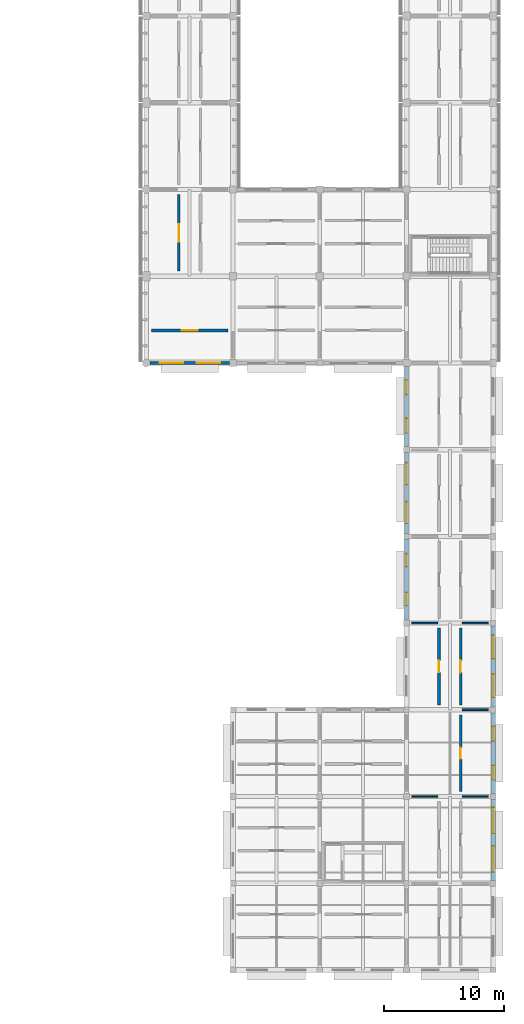
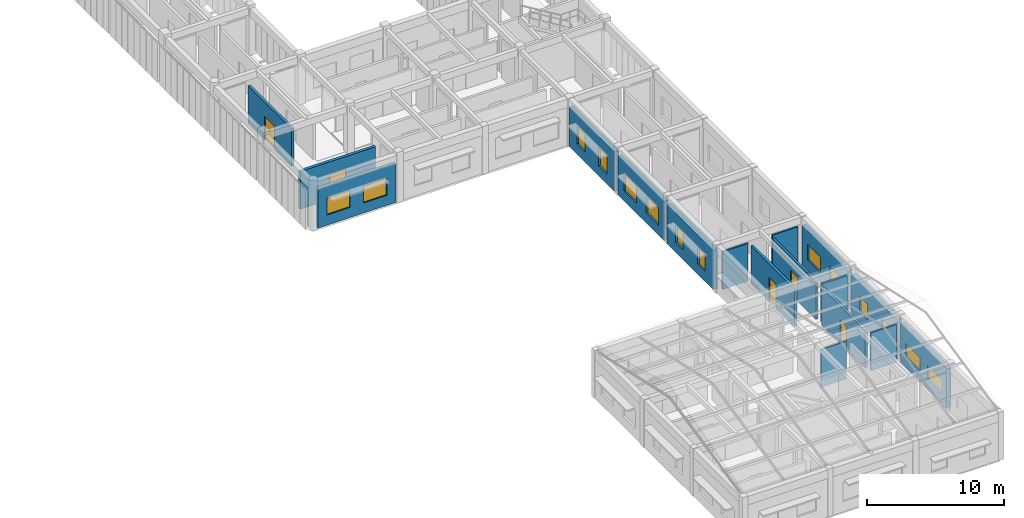
# One storey, part 135 of 171: 17 walls, 14 windows, 5 doors, 19 openings.
"""IFC4 building model written with IfcOpenShell, lengths in metres."""

from ifc_helpers import new_model, si_unit, direction, frame, frame_2d, origin, place, context, subcontext, project, spatial, rectangle, extrude, material, layer, layer_set, type_object, element, fill, save


model = new_model("IFC4")

# Units and contexts
model_context = context("Model", 3, precision=1e-05, world=origin(), true_north=direction((0.0, 1.0)))
body_context = subcontext(model_context, "Body", "Model", "MODEL_VIEW")
ifc_project = project(units=[si_unit("LENGTHUNIT", "METRE"), si_unit("AREAUNIT", "SQUARE_METRE"), si_unit("VOLUMEUNIT", "CUBIC_METRE"), si_unit("PLANEANGLEUNIT", "RADIAN"), si_unit("MASSUNIT", "GRAM", prefix="KILO")], contexts=[model_context])

# Site, building, storey
site_placement = place(None, origin())
site = spatial("IfcSite", under=ifc_project, at=site_placement, CompositionType="ELEMENT")
building_placement = place(site_placement, origin())
building = spatial("IfcBuilding", under=site, at=building_placement, Name="Aldebral Square Health Centre", CompositionType="ELEMENT")
storey_placement = place(building_placement, frame((0.0, 0.0, 4.5)))
storey = spatial("IfcBuildingStorey", under=building, at=storey_placement, Name="L01", CompositionType="ELEMENT", Elevation=4.5)

# Wall, openings, windows
ifc_material_1 = material(Name="Cream cantera stone and concrete wall C35/45", Category="masonry")
ifc_layer_1 = layer(ifc_material_1, 0.340087890625, Name="Cream cantera stone and concrete wall C35/45", Category="masonry")
ifc_layer_set_1 = layer_set([ifc_layer_1], Name="Cream cantera stone and concrete wall C35/45")
wall_type_1 = type_object("IfcWallType", Name="EW-CAN-340", PredefinedType="SOLIDWALL", material=ifc_layer_set_1)
wall_1_placement = place(storey_placement, frame((165.60009765625, 7.449951171875, 0.0), z_axis=(0.0, 0.0, 1.0), x_axis=(0.0, 1.0, 0.0)))
wall_1 = element("IfcWall", 1, at=wall_1_placement, inside=storey, type_object=wall_type_1, Name="L01 V3 exterior wall L01-V3-22-01-E", PredefinedType="SOLIDWALL", context=body_context, shape_type="SweptSolid", body=[
    extrude(rectangle(XDim=6.72509765625, YDim=0.340087890625, at=frame_2d((3.362548828125, 0.0))), origin(), (0.0, 0.0, 1.0), 3.52001953125),
])
opening_1_placement = place(wall_1_placement, frame((0.675048828125, 0.0, 0.89990234375)))
opening_1 = element("IfcOpeningElement", 2, at=opening_1_placement, cuts=wall_1, Name="Opening W09", PredefinedType="OPENING", context=body_context, shape_type="SweptSolid", body=[
    extrude(rectangle(XDim=2.14990234375, YDim=1.25, at=frame_2d((1.074951171875, 0.625))), frame((0.0, 0.18017578125, 0.0), z_axis=(0.0, -1.0, 0.0), x_axis=(1.0, 0.0, 0.0)), (0.0, 0.0, 1.0), 0.360107421875),
])
opening_2_placement = place(wall_1_placement, frame((3.89990234375, 0.0, 0.89990234375)))
opening_2 = element("IfcOpeningElement", 3, at=opening_2_placement, cuts=wall_1, Name="Opening W09", PredefinedType="OPENING", context=body_context, shape_type="SweptSolid", body=[
    extrude(rectangle(XDim=2.14990234375, YDim=1.25, at=frame_2d((1.074951171875, 0.625))), frame((0.0, 0.18017578125, 0.0), z_axis=(0.0, -1.0, 0.0), x_axis=(1.0, 0.0, 0.0)), (0.0, 0.0, 1.0), 0.360107421875),
])
ifc_material_2 = material(Name="Thermally broken aluminium and low-E glass", Category="aluminium")
window_type_1 = type_object("IfcWindowType", Name="WIN-W09", PartitioningType="SINGLE_PANEL", PredefinedType="WINDOW", material=ifc_material_2)
window_1_placement = place(opening_1_placement, origin())
window_1 = element("IfcWindow", 4, at=window_1_placement, inside=storey, type_object=window_type_1, Name="L01 clinical window L01-V3-22-01-E.1", OverallHeight=1.25, OverallWidth=2.14990234375, PartitioningType="SINGLE_PANEL", PredefinedType="WINDOW", context=body_context, shape_type="SweptSolid", body=[
    extrude(rectangle(XDim=2.14990234375, YDim=1.25, at=frame_2d((1.074951171875, 0.625))), frame((0.0, 0.030029296875, 0.0), z_axis=(0.0, -1.0, 0.0), x_axis=(1.0, 0.0, 0.0)), (0.0, 0.0, 1.0), 0.06005859375),
])
fill(opening_1, window_1)
window_2_placement = place(opening_2_placement, origin())
window_2 = element("IfcWindow", 5, at=window_2_placement, inside=storey, type_object=window_type_1, Name="L01 clinical window L01-V3-22-01-E.2", OverallHeight=1.25, OverallWidth=2.14990234375, PartitioningType="SINGLE_PANEL", PredefinedType="WINDOW", context=body_context, shape_type="SweptSolid", body=[
    extrude(rectangle(XDim=2.14990234375, YDim=1.25, at=frame_2d((1.074951171875, 0.625))), frame((0.0, 0.030029296875, 0.0), z_axis=(0.0, -1.0, 0.0), x_axis=(1.0, 0.0, 0.0)), (0.0, 0.0, 1.0), 0.06005859375),
])
fill(opening_2, window_2)

wall_2_placement = place(storey_placement, frame((165.60009765625, 21.85009765625, 0.0), z_axis=(0.0, 0.0, 1.0), x_axis=(0.0, 1.0, 0.0)))
wall_2 = element("IfcWall", 6, at=wall_2_placement, inside=storey, type_object=wall_type_1, Name="L01 V3 exterior wall L01-V3-22-03-E", PredefinedType="SOLIDWALL", context=body_context, shape_type="SweptSolid", body=[
    extrude(rectangle(XDim=6.724853515625, YDim=0.340087890625, at=frame_2d((3.3623046875, 0.0))), origin(), (0.0, 0.0, 1.0), 3.52001953125),
])
opening_3_placement = place(wall_2_placement, frame((0.77490234375, 0.0, 0.89990234375)))
opening_3 = element("IfcOpeningElement", 7, at=opening_3_placement, cuts=wall_2, Name="Opening W17", PredefinedType="OPENING", context=body_context, shape_type="SweptSolid", body=[
    extrude(rectangle(XDim=1.949951171875, YDim=1.3798828125, at=frame_2d((0.97509765625, 0.68994140625))), frame((0.0, 0.18017578125, 0.0), z_axis=(0.0, -1.0, 0.0), x_axis=(1.0, 0.0, 0.0)), (0.0, 0.0, 1.0), 0.360107421875),
])
opening_4_placement = place(wall_2_placement, frame((4.0, 0.0, 0.89990234375)))
opening_4 = element("IfcOpeningElement", 8, at=opening_4_placement, cuts=wall_2, Name="Opening W17", PredefinedType="OPENING", context=body_context, shape_type="SweptSolid", body=[
    extrude(rectangle(XDim=1.949951171875, YDim=1.3798828125, at=frame_2d((0.97509765625, 0.68994140625))), frame((0.0, 0.18017578125, 0.0), z_axis=(0.0, -1.0, 0.0), x_axis=(1.0, 0.0, 0.0)), (0.0, 0.0, 1.0), 0.360107421875),
])
window_type_2 = type_object("IfcWindowType", Name="WIN-W17", PartitioningType="SINGLE_PANEL", PredefinedType="WINDOW", material=ifc_material_2)
window_3_placement = place(opening_3_placement, origin())
window_3 = element("IfcWindow", 9, at=window_3_placement, inside=storey, type_object=window_type_2, Name="L01 clinical window L01-V3-22-03-E.1", OverallHeight=1.3798828125, OverallWidth=1.949951171875, PartitioningType="SINGLE_PANEL", PredefinedType="WINDOW", context=body_context, shape_type="SweptSolid", body=[
    extrude(rectangle(XDim=1.949951171875, YDim=1.3798828125, at=frame_2d((0.97509765625, 0.68994140625))), frame((0.0, 0.030029296875, 0.0), z_axis=(0.0, -1.0, 0.0), x_axis=(1.0, 0.0, 0.0)), (0.0, 0.0, 1.0), 0.06005859375),
])
fill(opening_3, window_3)
window_4_placement = place(opening_4_placement, origin())
window_4 = element("IfcWindow", 10, at=window_4_placement, inside=storey, type_object=window_type_2, Name="L01 clinical window L01-V3-22-03-E.2", OverallHeight=1.3798828125, OverallWidth=1.949951171875, PartitioningType="SINGLE_PANEL", PredefinedType="WINDOW", context=body_context, shape_type="SweptSolid", body=[
    extrude(rectangle(XDim=1.949951171875, YDim=1.3798828125, at=frame_2d((0.97509765625, 0.68994140625))), frame((0.0, 0.030029296875, 0.0), z_axis=(0.0, -1.0, 0.0), x_axis=(1.0, 0.0, 0.0)), (0.0, 0.0, 1.0), 0.06005859375),
])
fill(opening_4, window_4)

wall_3_placement = place(storey_placement, frame((158.39990234375, 42.949951171875, 0.0), z_axis=(0.0, 0.0, 1.0), x_axis=(0.0, -1.0, 0.0)))
wall_3 = element("IfcWall", 11, at=wall_3_placement, inside=storey, type_object=wall_type_1, Name="L01 V3 exterior wall L01-V3-22-05-W", PredefinedType="SOLIDWALL", context=body_context, shape_type="SweptSolid", body=[
    extrude(rectangle(XDim=6.724853515625, YDim=0.340087890625, at=frame_2d((3.3623046875, 0.0))), origin(), (0.0, 0.0, 1.0), 3.52001953125),
])
opening_5_placement = place(wall_3_placement, frame((0.85009765625, 0.0, 0.89990234375)))
opening_5 = element("IfcOpeningElement", 12, at=opening_5_placement, cuts=wall_3, Name="Opening W25", PredefinedType="OPENING", context=body_context, shape_type="SweptSolid", body=[
    extrude(rectangle(XDim=1.800048828125, YDim=1.5, at=frame_2d((0.89990234375, 0.75))), frame((0.0, 0.18017578125, 0.0), z_axis=(0.0, -1.0, 0.0), x_axis=(1.0, 0.0, 0.0)), (0.0, 0.0, 1.0), 0.360107421875),
])
opening_6_placement = place(wall_3_placement, frame((4.074951171875, 0.0, 0.89990234375)))
opening_6 = element("IfcOpeningElement", 13, at=opening_6_placement, cuts=wall_3, Name="Opening W25", PredefinedType="OPENING", context=body_context, shape_type="SweptSolid", body=[
    extrude(rectangle(XDim=1.800048828125, YDim=1.5, at=frame_2d((0.89990234375, 0.75))), frame((0.0, 0.18017578125, 0.0), z_axis=(0.0, -1.0, 0.0), x_axis=(1.0, 0.0, 0.0)), (0.0, 0.0, 1.0), 0.360107421875),
])
window_type_3 = type_object("IfcWindowType", Name="WIN-W25", PartitioningType="SINGLE_PANEL", PredefinedType="WINDOW", material=ifc_material_2)
window_5_placement = place(opening_5_placement, origin())
window_5 = element("IfcWindow", 14, at=window_5_placement, inside=storey, type_object=window_type_3, Name="L01 clinical window L01-V3-22-05-W.1", OverallHeight=1.5, OverallWidth=1.800048828125, PartitioningType="SINGLE_PANEL", PredefinedType="WINDOW", context=body_context, shape_type="SweptSolid", body=[
    extrude(rectangle(XDim=1.800048828125, YDim=1.5, at=frame_2d((0.89990234375, 0.75))), frame((0.0, 0.030029296875, 0.0), z_axis=(0.0, -1.0, 0.0), x_axis=(1.0, 0.0, 0.0)), (0.0, 0.0, 1.0), 0.06005859375),
])
fill(opening_5, window_5)
window_6_placement = place(opening_6_placement, origin())
window_6 = element("IfcWindow", 15, at=window_6_placement, inside=storey, type_object=window_type_3, Name="L01 clinical window L01-V3-22-05-W.2", OverallHeight=1.5, OverallWidth=1.800048828125, PartitioningType="SINGLE_PANEL", PredefinedType="WINDOW", context=body_context, shape_type="SweptSolid", body=[
    extrude(rectangle(XDim=1.800048828125, YDim=1.5, at=frame_2d((0.89990234375, 0.75))), frame((0.0, 0.030029296875, 0.0), z_axis=(0.0, -1.0, 0.0), x_axis=(1.0, 0.0, 0.0)), (0.0, 0.0, 1.0), 0.06005859375),
])
fill(opening_6, window_6)

ifc_layer_2 = layer(ifc_material_1, 0.360107421875, Name="Cream cantera stone and concrete wall C35/45", Category="masonry")
ifc_layer_set_2 = layer_set([ifc_layer_2], Name="Cream cantera stone and concrete wall C35/45")
wall_type_2 = type_object("IfcWallType", Name="EW-CAN-360", PredefinedType="SOLIDWALL", material=ifc_layer_set_2)
wall_4_placement = place(storey_placement, frame((165.60009765625, 14.625, 0.0), z_axis=(0.0, 0.0, 1.0), x_axis=(0.0, 1.0, 0.0)))
wall_4 = element("IfcWall", 16, at=wall_4_placement, inside=storey, type_object=wall_type_2, Name="L01 V3 exterior wall L01-V3-22-02-E", PredefinedType="SOLIDWALL", context=body_context, shape_type="SweptSolid", body=[
    extrude(rectangle(XDim=6.72509765625, YDim=0.360107421875, at=frame_2d((3.362548828125, 0.0))), origin(), (0.0, 0.0, 1.0), 3.52001953125),
])
opening_7_placement = place(wall_4_placement, frame((1.14990234375, 0.0, 0.89990234375)))
opening_7 = element("IfcOpeningElement", 17, at=opening_7_placement, cuts=wall_4, Name="Opening W12", PredefinedType="OPENING", context=body_context, shape_type="SweptSolid", body=[
    extrude(rectangle(XDim=1.199951171875, YDim=1.3798828125, at=frame_2d((0.60009765625, 0.68994140625))), frame((0.0, 0.18994140625, 0.0), z_axis=(0.0, -1.0, 0.0), x_axis=(1.0, 0.0, 0.0)), (0.0, 0.0, 1.0), 0.380126953125),
])
opening_8_placement = place(wall_4_placement, frame((4.375, 0.0, 0.89990234375)))
opening_8 = element("IfcOpeningElement", 18, at=opening_8_placement, cuts=wall_4, Name="Opening W12", PredefinedType="OPENING", context=body_context, shape_type="SweptSolid", body=[
    extrude(rectangle(XDim=1.199951171875, YDim=1.3798828125, at=frame_2d((0.60009765625, 0.68994140625))), frame((0.0, 0.18994140625, 0.0), z_axis=(0.0, -1.0, 0.0), x_axis=(1.0, 0.0, 0.0)), (0.0, 0.0, 1.0), 0.380126953125),
])
window_type_4 = type_object("IfcWindowType", Name="WIN-W12", PartitioningType="SINGLE_PANEL", PredefinedType="WINDOW", material=ifc_material_2)
window_7_placement = place(opening_7_placement, origin())
window_7 = element("IfcWindow", 19, at=window_7_placement, inside=storey, type_object=window_type_4, Name="L01 clinical window L01-V3-22-02-E.1", OverallHeight=1.3798828125, OverallWidth=1.199951171875, PartitioningType="SINGLE_PANEL", PredefinedType="WINDOW", context=body_context, shape_type="SweptSolid", body=[
    extrude(rectangle(XDim=1.199951171875, YDim=1.3798828125, at=frame_2d((0.60009765625, 0.68994140625))), frame((0.0, 0.030029296875, 0.0), z_axis=(0.0, -1.0, 0.0), x_axis=(1.0, 0.0, 0.0)), (0.0, 0.0, 1.0), 0.06005859375),
])
fill(opening_7, window_7)
window_8_placement = place(opening_8_placement, origin())
window_8 = element("IfcWindow", 20, at=window_8_placement, inside=storey, type_object=window_type_4, Name="L01 clinical window L01-V3-22-02-E.2", OverallHeight=1.3798828125, OverallWidth=1.199951171875, PartitioningType="SINGLE_PANEL", PredefinedType="WINDOW", context=body_context, shape_type="SweptSolid", body=[
    extrude(rectangle(XDim=1.199951171875, YDim=1.3798828125, at=frame_2d((0.60009765625, 0.68994140625))), frame((0.0, 0.030029296875, 0.0), z_axis=(0.0, -1.0, 0.0), x_axis=(1.0, 0.0, 0.0)), (0.0, 0.0, 1.0), 0.06005859375),
])
fill(opening_8, window_8)

wall_5_placement = place(storey_placement, frame((158.39990234375, 35.77490234375, 0.0), z_axis=(0.0, 0.0, 1.0), x_axis=(0.0, -1.0, 0.0)))
wall_5 = element("IfcWall", 21, at=wall_5_placement, inside=storey, type_object=wall_type_2, Name="L01 V3 exterior wall L01-V3-22-04-W", PredefinedType="SOLIDWALL", context=body_context, shape_type="SweptSolid", body=[
    extrude(rectangle(XDim=6.724853515625, YDim=0.360107421875, at=frame_2d((3.3623046875, 0.0))), origin(), (0.0, 0.0, 1.0), 3.52001953125),
])
opening_9_placement = place(wall_5_placement, frame((1.22509765625, 0.0, 0.89990234375)))
opening_9 = element("IfcOpeningElement", 22, at=opening_9_placement, cuts=wall_5, Name="Opening W20", PredefinedType="OPENING", context=body_context, shape_type="SweptSolid", body=[
    extrude(rectangle(XDim=1.050048828125, YDim=1.5, at=frame_2d((0.52490234375, 0.75))), frame((0.0, 0.18994140625, 0.0), z_axis=(0.0, -1.0, 0.0), x_axis=(1.0, 0.0, 0.0)), (0.0, 0.0, 1.0), 0.380126953125),
])
opening_10_placement = place(wall_5_placement, frame((4.449951171875, 0.0, 0.89990234375)))
opening_10 = element("IfcOpeningElement", 23, at=opening_10_placement, cuts=wall_5, Name="Opening W20", PredefinedType="OPENING", context=body_context, shape_type="SweptSolid", body=[
    extrude(rectangle(XDim=1.050048828125, YDim=1.5, at=frame_2d((0.52490234375, 0.75))), frame((0.0, 0.18994140625, 0.0), z_axis=(0.0, -1.0, 0.0), x_axis=(1.0, 0.0, 0.0)), (0.0, 0.0, 1.0), 0.380126953125),
])
window_type_5 = type_object("IfcWindowType", Name="WIN-W20", PartitioningType="SINGLE_PANEL", PredefinedType="WINDOW", material=ifc_material_2)
window_9_placement = place(opening_9_placement, origin())
window_9 = element("IfcWindow", 24, at=window_9_placement, inside=storey, type_object=window_type_5, Name="L01 clinical window L01-V3-22-04-W.1", OverallHeight=1.5, OverallWidth=1.050048828125, PartitioningType="SINGLE_PANEL", PredefinedType="WINDOW", context=body_context, shape_type="SweptSolid", body=[
    extrude(rectangle(XDim=1.050048828125, YDim=1.5, at=frame_2d((0.52490234375, 0.75))), frame((0.0, 0.030029296875, 0.0), z_axis=(0.0, -1.0, 0.0), x_axis=(1.0, 0.0, 0.0)), (0.0, 0.0, 1.0), 0.06005859375),
])
fill(opening_9, window_9)
window_10_placement = place(opening_10_placement, origin())
window_10 = element("IfcWindow", 25, at=window_10_placement, inside=storey, type_object=window_type_5, Name="L01 clinical window L01-V3-22-04-W.2", OverallHeight=1.5, OverallWidth=1.050048828125, PartitioningType="SINGLE_PANEL", PredefinedType="WINDOW", context=body_context, shape_type="SweptSolid", body=[
    extrude(rectangle(XDim=1.050048828125, YDim=1.5, at=frame_2d((0.52490234375, 0.75))), frame((0.0, 0.030029296875, 0.0), z_axis=(0.0, -1.0, 0.0), x_axis=(1.0, 0.0, 0.0)), (0.0, 0.0, 1.0), 0.06005859375),
])
fill(opening_10, window_10)

wall_6_placement = place(storey_placement, frame((158.39990234375, 50.125, 0.0), z_axis=(0.0, 0.0, 1.0), x_axis=(0.0, -1.0, 0.0)))
wall_6 = element("IfcWall", 26, at=wall_6_placement, inside=storey, type_object=wall_type_2, Name="L01 V3 exterior wall L01-V3-22-06-W", PredefinedType="SOLIDWALL", context=body_context, shape_type="SweptSolid", body=[
    extrude(rectangle(XDim=6.675048828125, YDim=0.360107421875, at=frame_2d((3.33740234375, 0.0))), origin(), (0.0, 0.0, 1.0), 3.52001953125),
])
opening_11_placement = place(wall_6_placement, frame((1.14990234375, 0.0, 0.89990234375)))
opening_11 = element("IfcOpeningElement", 27, at=opening_11_placement, cuts=wall_6, Name="Opening W30", PredefinedType="OPENING", context=body_context, shape_type="SweptSolid", body=[
    extrude(rectangle(XDim=1.199951171875, YDim=1.6201171875, at=frame_2d((0.60009765625, 0.81005859375))), frame((0.0, 0.18994140625, 0.0), z_axis=(0.0, -1.0, 0.0), x_axis=(1.0, 0.0, 0.0)), (0.0, 0.0, 1.0), 0.380126953125),
])
opening_12_placement = place(wall_6_placement, frame((4.324951171875, 0.0, 0.89990234375)))
opening_12 = element("IfcOpeningElement", 28, at=opening_12_placement, cuts=wall_6, Name="Opening W30", PredefinedType="OPENING", context=body_context, shape_type="SweptSolid", body=[
    extrude(rectangle(XDim=1.199951171875, YDim=1.6201171875, at=frame_2d((0.60009765625, 0.81005859375))), frame((0.0, 0.18994140625, 0.0), z_axis=(0.0, -1.0, 0.0), x_axis=(1.0, 0.0, 0.0)), (0.0, 0.0, 1.0), 0.380126953125),
])
window_type_6 = type_object("IfcWindowType", Name="WIN-W30", PartitioningType="SINGLE_PANEL", PredefinedType="WINDOW", material=ifc_material_2)
window_11_placement = place(opening_11_placement, origin())
window_11 = element("IfcWindow", 29, at=window_11_placement, inside=storey, type_object=window_type_6, Name="L01 clinical window L01-V3-22-06-W.1", OverallHeight=1.6201171875, OverallWidth=1.199951171875, PartitioningType="SINGLE_PANEL", PredefinedType="WINDOW", context=body_context, shape_type="SweptSolid", body=[
    extrude(rectangle(XDim=1.199951171875, YDim=1.6201171875, at=frame_2d((0.60009765625, 0.81005859375))), frame((0.0, 0.030029296875, 0.0), z_axis=(0.0, -1.0, 0.0), x_axis=(1.0, 0.0, 0.0)), (0.0, 0.0, 1.0), 0.06005859375),
])
fill(opening_11, window_11)
window_12_placement = place(opening_12_placement, origin())
window_12 = element("IfcWindow", 30, at=window_12_placement, inside=storey, type_object=window_type_6, Name="L01 clinical window L01-V3-22-06-W.2", OverallHeight=1.6201171875, OverallWidth=1.199951171875, PartitioningType="SINGLE_PANEL", PredefinedType="WINDOW", context=body_context, shape_type="SweptSolid", body=[
    extrude(rectangle(XDim=1.199951171875, YDim=1.6201171875, at=frame_2d((0.60009765625, 0.81005859375))), frame((0.0, 0.030029296875, 0.0), z_axis=(0.0, -1.0, 0.0), x_axis=(1.0, 0.0, 0.0)), (0.0, 0.0, 1.0), 0.06005859375),
])
fill(opening_12, window_12)

ifc_material_3 = material(Name="Ochre mineral-rendered concrete C35/45 court wall", Category="concrete")
ifc_layer_3 = layer(ifc_material_3, 0.280029296875, Name="Ochre mineral-rendered concrete C35/45 court wall", Category="concrete")
ifc_layer_set_3 = layer_set([ifc_layer_3], Name="Ochre mineral-rendered concrete C35/45 court wall")
wall_type_3 = type_object("IfcWallType", Name="EW-OCH-280", PredefinedType="STANDARD", material=ifc_layer_set_3)
wall_7_placement = place(storey_placement, frame((137.125, 50.39990234375, 0.0), z_axis=(0.0, 0.0, 1.0), x_axis=(1.0, 0.0, 0.0)))
wall_7 = element("IfcWall", 31, at=wall_7_placement, inside=storey, type_object=wall_type_3, Name="L01 V5 exterior wall L01-V5-19-07-S", PredefinedType="STANDARD", context=body_context, shape_type="SweptSolid", body=[
    extrude(rectangle(XDim=6.60009765625, YDim=0.280029296875, at=frame_2d((3.300048828125, 0.0))), origin(), (0.0, 0.0, 1.0), 3.469970703125),
])
opening_13_placement = place(wall_7_placement, frame((0.77490234375, 0.0, 0.89990234375)))
opening_13 = element("IfcOpeningElement", 32, at=opening_13_placement, cuts=wall_7, Name="Opening W26", PredefinedType="OPENING", context=body_context, shape_type="SweptSolid", body=[
    extrude(rectangle(XDim=1.949951171875, YDim=1.5, at=frame_2d((0.97509765625, 0.75))), frame((0.0, 0.14990234375, 0.0), z_axis=(0.0, -1.0, 0.0), x_axis=(1.0, 0.0, 0.0)), (0.0, 0.0, 1.0), 0.300048828125),
])
opening_14_placement = place(wall_7_placement, frame((3.875, 0.0, 0.89990234375)))
opening_14 = element("IfcOpeningElement", 33, at=opening_14_placement, cuts=wall_7, Name="Opening W26", PredefinedType="OPENING", context=body_context, shape_type="SweptSolid", body=[
    extrude(rectangle(XDim=1.949951171875, YDim=1.5, at=frame_2d((0.97509765625, 0.75))), frame((0.0, 0.14990234375, 0.0), z_axis=(0.0, -1.0, 0.0), x_axis=(1.0, 0.0, 0.0)), (0.0, 0.0, 1.0), 0.300048828125),
])
window_type_7 = type_object("IfcWindowType", Name="WIN-W26", PartitioningType="SINGLE_PANEL", PredefinedType="WINDOW", material=ifc_material_2)
window_13_placement = place(opening_13_placement, origin())
window_13 = element("IfcWindow", 34, at=window_13_placement, inside=storey, type_object=window_type_7, Name="L01 clinical window L01-V5-19-07-S.1", OverallHeight=1.5, OverallWidth=1.949951171875, PartitioningType="SINGLE_PANEL", PredefinedType="WINDOW", context=body_context, shape_type="SweptSolid", body=[
    extrude(rectangle(XDim=1.949951171875, YDim=1.5, at=frame_2d((0.97509765625, 0.75))), frame((0.0, 0.030029296875, 0.0), z_axis=(0.0, -1.0, 0.0), x_axis=(1.0, 0.0, 0.0)), (0.0, 0.0, 1.0), 0.06005859375),
])
fill(opening_13, window_13)
window_14_placement = place(opening_14_placement, origin())
window_14 = element("IfcWindow", 35, at=window_14_placement, inside=storey, type_object=window_type_7, Name="L01 clinical window L01-V5-19-07-S.2", OverallHeight=1.5, OverallWidth=1.949951171875, PartitioningType="SINGLE_PANEL", PredefinedType="WINDOW", context=body_context, shape_type="SweptSolid", body=[
    extrude(rectangle(XDim=1.949951171875, YDim=1.5, at=frame_2d((0.97509765625, 0.75))), frame((0.0, 0.030029296875, 0.0), z_axis=(0.0, -1.0, 0.0), x_axis=(1.0, 0.0, 0.0)), (0.0, 0.0, 1.0), 0.06005859375),
])
fill(opening_14, window_14)

# Wall, opening, door
ifc_material_4 = material(Name="Concrete C35/45 compartment wall", Category="concrete")
ifc_layer_4 = layer(ifc_material_4, 0.199951171875, Name="Concrete C35/45 compartment wall", Category="concrete")
ifc_layer_set_4 = layer_set([ifc_layer_4], Name="Concrete C35/45 compartment wall")
wall_type_4 = type_object("IfcWallType", Name="IW-CMP-200", PredefinedType="SOLIDWALL", material=ifc_layer_set_4)
wall_8_placement = place(storey_placement, frame((162.89990234375, 14.820068359375, 0.0), z_axis=(0.0, 0.0, 1.0), x_axis=(0.0, 1.0, 0.0)))
wall_8 = element("IfcWall", 36, at=wall_8_placement, inside=storey, type_object=wall_type_4, Name="L01 Sensory Recovery Suite 23.3E corridor wall", PredefinedType="SOLIDWALL", context=body_context, shape_type="SweptSolid", body=[
    extrude(rectangle(XDim=6.35986328125, YDim=0.199951171875, at=frame_2d((3.179931640625, 0.0))), origin(), (0.0, 0.0, 1.0), 3.360107421875),
])
opening_15_placement = place(wall_8_placement, frame((2.7099609375, 0.0, 0.0)))
opening_15 = element("IfcOpeningElement", 37, at=opening_15_placement, cuts=wall_8, Name="Opening D-0255", PredefinedType="OPENING", context=body_context, shape_type="SweptSolid", body=[
    extrude(rectangle(XDim=0.93994140625, YDim=2.139892578125, at=frame_2d((0.469970703125, 1.06982421875))), frame((0.0, 0.10986328125, 0.0), z_axis=(0.0, -1.0, 0.0), x_axis=(1.0, 0.0, 0.0)), (0.0, 0.0, 1.0), 0.219970703125),
])
ifc_material_5 = material(Name="Clinical suite fire door")
door_type_1 = type_object("IfcDoorType", Name="ID-EXD-33", OperationType="NOTDEFINED", PredefinedType="DOOR", material=ifc_material_5)
door_1_placement = place(opening_15_placement, origin())
door_1 = element("IfcDoor", 38, at=door_1_placement, inside=storey, type_object=door_type_1, Name="L01 Sensory Recovery Suite 23.3E door", OperationType="SINGLE_SWING_RIGHT", OverallHeight=2.139892578125, OverallWidth=0.93994140625, PredefinedType="DOOR", context=body_context, shape_type="SweptSolid", body=[
    extrude(rectangle(XDim=0.93994140625, YDim=2.139892578125, at=frame_2d((0.469970703125, 1.06982421875))), frame((0.0, 0.02490234375, 0.0), z_axis=(0.0, -1.0, 0.0), x_axis=(1.0, 0.0, 0.0)), (0.0, 0.0, 1.0), 0.050048828125),
])
fill(opening_15, door_1)

ifc_layer_5 = layer(ifc_material_4, 0.219970703125, Name="Concrete C35/45 compartment wall", Category="concrete")
ifc_layer_set_5 = layer_set([ifc_layer_5], Name="Concrete C35/45 compartment wall")
wall_type_5 = type_object("IfcWallType", Name="IW-CMP-220", PredefinedType="SOLIDWALL", material=ifc_layer_set_5)
wall_9_placement = place(storey_placement, frame((139.5, 58.02001953125, 0.0), z_axis=(0.0, 0.0, 1.0), x_axis=(0.0, 1.0, 0.0)))
wall_9 = element("IfcWall", 39, at=wall_9_placement, inside=storey, type_object=wall_type_5, Name="L01 Pulmonary Function Clinic 20.9W corridor wall", PredefinedType="SOLIDWALL", context=body_context, shape_type="SweptSolid", body=[
    extrude(rectangle(XDim=6.35986328125, YDim=0.219970703125, at=frame_2d((3.179931640625, 0.0))), origin(), (0.0, 0.0, 1.0), 3.360107421875),
])
opening_16_placement = place(wall_9_placement, frame((2.449951171875, 0.0, 0.0)))
opening_16 = element("IfcOpeningElement", 40, at=opening_16_placement, cuts=wall_9, Name="Opening D-0321", PredefinedType="OPENING", context=body_context, shape_type="SweptSolid", body=[
    extrude(rectangle(XDim=1.4599609375, YDim=2.090087890625, at=frame_2d((0.72998046875, 1.044921875))), frame((0.0, 0.1201171875, 0.0), z_axis=(0.0, -1.0, 0.0), x_axis=(1.0, 0.0, 0.0)), (0.0, 0.0, 1.0), 0.239990234375),
])
door_type_2 = type_object("IfcDoorType", Name="ID-EXD-30", OperationType="NOTDEFINED", PredefinedType="DOOR", material=ifc_material_5)
door_2_placement = place(opening_16_placement, origin())
door_2 = element("IfcDoor", 41, at=door_2_placement, inside=storey, type_object=door_type_2, Name="L01 Pulmonary Function Clinic 20.9W door", OperationType="SINGLE_SWING_RIGHT", OverallHeight=2.090087890625, OverallWidth=1.4599609375, PredefinedType="DOOR", context=body_context, shape_type="SweptSolid", body=[
    extrude(rectangle(XDim=1.4599609375, YDim=2.090087890625, at=frame_2d((0.72998046875, 1.044921875))), frame((0.0, 0.02490234375, 0.0), z_axis=(0.0, -1.0, 0.0), x_axis=(1.0, 0.0, 0.0)), (0.0, 0.0, 1.0), 0.050048828125),
])
fill(opening_16, door_2)

ifc_material_6 = material(Name="Fire-rated acoustic gypsum partition")
ifc_layer_6 = layer(ifc_material_6, 0.179931640625, Name="Fire-rated acoustic gypsum partition")
ifc_layer_set_6 = layer_set([ifc_layer_6], Name="Fire-rated acoustic gypsum partition")
wall_type_6 = type_object("IfcWallType", Name="IW-COR-180", PredefinedType="PARTITIONING", material=ifc_layer_set_6)
wall_10_placement = place(storey_placement, frame((162.89990234375, 22.02001953125, 0.0), z_axis=(0.0, 0.0, 1.0), x_axis=(0.0, 1.0, 0.0)))
wall_10 = element("IfcWall", 42, at=wall_10_placement, inside=storey, type_object=wall_type_6, Name="L01 Therapy Pavilion Studio 23.4E corridor wall", PredefinedType="PARTITIONING", context=body_context, shape_type="SweptSolid", body=[
    extrude(rectangle(XDim=6.35986328125, YDim=0.179931640625, at=frame_2d((3.179931640625, 0.0))), origin(), (0.0, 0.0, 1.0), 3.360107421875),
])
opening_17_placement = place(wall_10_placement, frame((2.669921875, 0.0, 0.0)))
opening_17 = element("IfcOpeningElement", 43, at=opening_17_placement, cuts=wall_10, Name="Opening D-0257", PredefinedType="OPENING", context=body_context, shape_type="SweptSolid", body=[
    extrude(rectangle(XDim=1.02001953125, YDim=2.139892578125, at=frame_2d((0.510009765625, 1.06982421875))), frame((0.0, 0.10009765625, 0.0), z_axis=(0.0, -1.0, 0.0), x_axis=(1.0, 0.0, 0.0)), (0.0, 0.0, 1.0), 0.199951171875),
])
door_type_3 = type_object("IfcDoorType", Name="ID-EXD-35", OperationType="NOTDEFINED", PredefinedType="DOOR", material=ifc_material_5)
door_3_placement = place(opening_17_placement, origin())
door_3 = element("IfcDoor", 44, at=door_3_placement, inside=storey, type_object=door_type_3, Name="L01 Therapy Pavilion Studio 23.4E door", OperationType="SINGLE_SWING_RIGHT", OverallHeight=2.139892578125, OverallWidth=1.02001953125, PredefinedType="DOOR", context=body_context, shape_type="SweptSolid", body=[
    extrude(rectangle(XDim=1.02001953125, YDim=2.139892578125, at=frame_2d((0.510009765625, 1.06982421875))), frame((0.0, 0.02490234375, 0.0), z_axis=(0.0, -1.0, 0.0), x_axis=(1.0, 0.0, 0.0)), (0.0, 0.0, 1.0), 0.050048828125),
])
fill(opening_17, door_3)

ifc_material_7 = material(Name="Moisture-resistant sanitary chase wall")
ifc_layer_7 = layer(ifc_material_7, 0.2099609375, Name="Moisture-resistant sanitary chase wall")
ifc_layer_set_7 = layer_set([ifc_layer_7], Name="Moisture-resistant sanitary chase wall")
wall_type_7 = type_object("IfcWallType", Name="IW-PLB-210", PredefinedType="PLUMBINGWALL", material=ifc_layer_set_7)
wall_11_placement = place(storey_placement, frame((161.10009765625, 22.02001953125, 0.0), z_axis=(0.0, 0.0, 1.0), x_axis=(0.0, 1.0, 0.0)))
wall_11 = element("IfcWall", 45, at=wall_11_placement, inside=storey, type_object=wall_type_7, Name="L01 Accessible WC 23.4W corridor wall", PredefinedType="PLUMBINGWALL", context=body_context, shape_type="SweptSolid", body=[
    extrude(rectangle(XDim=6.35986328125, YDim=0.2099609375, at=frame_2d((3.179931640625, 0.0))), origin(), (0.0, 0.0, 1.0), 3.360107421875),
])
opening_18_placement = place(wall_11_placement, frame((2.68994140625, 0.0, 0.0)))
opening_18 = element("IfcOpeningElement", 46, at=opening_18_placement, cuts=wall_11, Name="Opening D-0256", PredefinedType="OPENING", context=body_context, shape_type="SweptSolid", body=[
    extrude(rectangle(XDim=0.97998046875, YDim=2.139892578125, at=frame_2d((0.489990234375, 1.06982421875))), frame((0.0, 0.114990234375, 0.0), z_axis=(0.0, -1.0, 0.0), x_axis=(1.0, 0.0, 0.0)), (0.0, 0.0, 1.0), 0.22998046875),
])
door_type_4 = type_object("IfcDoorType", Name="ID-EXD-34", OperationType="NOTDEFINED", PredefinedType="DOOR", material=ifc_material_5)
door_4_placement = place(opening_18_placement, origin())
door_4 = element("IfcDoor", 47, at=door_4_placement, inside=storey, type_object=door_type_4, Name="L01 Accessible WC 23.4W door", OperationType="SINGLE_SWING_LEFT", OverallHeight=2.139892578125, OverallWidth=0.97998046875, PredefinedType="DOOR", context=body_context, shape_type="SweptSolid", body=[
    extrude(rectangle(XDim=0.97998046875, YDim=2.139892578125, at=frame_2d((0.489990234375, 1.06982421875))), frame((0.0, 0.02490234375, 0.0), z_axis=(0.0, -1.0, 0.0), x_axis=(1.0, 0.0, 0.0)), (0.0, 0.0, 1.0), 0.050048828125),
])
fill(opening_18, door_4)

# Walls
ifc_material_8 = material(Name="Lightweight clinical partition")
ifc_layer_8 = layer(ifc_material_8, 0.10498046875, Name="Lightweight clinical partition")
ifc_layer_set_8 = layer_set([ifc_layer_8], Name="Lightweight clinical partition")
wall_type_8 = type_object("IfcWallType", Name="IW-PRT-105", PredefinedType="PARTITIONING", material=ifc_layer_set_8)
for number, where, z_axis, x_axis, name in (
    (48, (158.820068359375, 14.39990234375, 0.0), (0.0, 0.0, 1.0), (1.0, 0.0, 0.0), "L01 Therapy Pavilion Studio 23.2W demising partition"),
    (49, (163.02001953125, 14.39990234375, 0.0), (0.0, 0.0, 1.0), (1.0, 0.0, 0.0), "L01 Occupational Therapy Workshop 23.2E demising partition"),
):
    element("IfcWall", number, at=place(storey_placement, frame(where, z_axis=z_axis, x_axis=x_axis)), inside=storey, type_object=wall_type_8, Name=name, PredefinedType="PARTITIONING", context=body_context, shape_type="SweptSolid", body=[
        extrude(rectangle(XDim=2.159912109375, YDim=0.10498046875, at=frame_2d((1.080078125, 0.0))), origin(), (0.0, 0.0, 1.0), 3.360107421875),
    ])
ifc_material_9 = material(Name="Acoustic clinical gypsum partition")
ifc_layer_9 = layer(ifc_material_9, 0.135009765625, Name="Acoustic clinical gypsum partition")
ifc_layer_set_9 = layer_set([ifc_layer_9], Name="Acoustic clinical gypsum partition")
wall_type_9 = type_object("IfcWallType", Name="IW-PRT-135", PredefinedType="PARTITIONING", material=ifc_layer_set_9)
for number, where, z_axis, x_axis, name in (
    (50, (158.820068359375, 28.800048828125, 0.0), (0.0, 0.0, 1.0), (1.0, 0.0, 0.0), "L01 Accessible WC 23.4W demising partition"),
    (51, (163.02001953125, 28.800048828125, 0.0), (0.0, 0.0, 1.0), (1.0, 0.0, 0.0), "L01 Therapy Pavilion Studio 23.4E demising partition"),
):
    element("IfcWall", number, at=place(storey_placement, frame(where, z_axis=z_axis, x_axis=x_axis)), inside=storey, type_object=wall_type_9, Name=name, PredefinedType="PARTITIONING", context=body_context, shape_type="SweptSolid", body=[
        extrude(rectangle(XDim=2.159912109375, YDim=0.135009765625, at=frame_2d((1.080078125, 0.0))), origin(), (0.0, 0.0, 1.0), 3.360107421875),
    ])
ifc_layer_10 = layer(ifc_material_9, 0.14990234375, Name="Acoustic clinical gypsum partition")
ifc_layer_set_10 = layer_set([ifc_layer_10], Name="Acoustic clinical gypsum partition")
wall_type_10 = type_object("IfcWallType", Name="IW-PRT-150", PredefinedType="PARTITIONING", material=ifc_layer_set_10)
wall_12_placement = place(storey_placement, frame((163.02001953125, 21.60009765625, 0.0), z_axis=(0.0, 0.0, 1.0), x_axis=(1.0, 0.0, 0.0)))
element("IfcWall", 52, at=wall_12_placement, inside=storey, type_object=wall_type_10, Name="L01 Sensory Recovery Suite 23.3E demising partition", PredefinedType="PARTITIONING", context=body_context, shape_type="SweptSolid", body=[
    extrude(rectangle(XDim=2.159912109375, YDim=0.14990234375, at=frame_2d((1.080078125, 0.0))), origin(), (0.0, 0.0, 1.0), 3.360107421875),
])

# Wall, opening, door
ifc_material_10 = material(Name="Lead-lined gypsum and concrete C35/45 barrier", Category="concrete")
ifc_layer_11 = layer(ifc_material_10, 0.239990234375, Name="Lead-lined gypsum and concrete C35/45 barrier", Category="concrete")
ifc_layer_set_11 = layer_set([ifc_layer_11], Name="Lead-lined gypsum and concrete C35/45 barrier")
wall_type_11 = type_object("IfcWallType", Name="IW-RAD-240", PredefinedType="SOLIDWALL", material=ifc_layer_set_11)
wall_13_placement = place(storey_placement, frame((137.219970703125, 53.10009765625, 0.0), z_axis=(0.0, 0.0, 1.0), x_axis=(1.0, 0.0, 0.0)))
wall_13 = element("IfcWall", 53, at=wall_13_placement, inside=storey, type_object=wall_type_11, Name="L01 Endoscopy Diagnostic Suite 20.8S corridor wall", PredefinedType="SOLIDWALL", context=body_context, shape_type="SweptSolid", body=[
    extrude(rectangle(XDim=6.360107421875, YDim=0.239990234375, at=frame_2d((3.18017578125, 0.0))), origin(), (0.0, 0.0, 1.0), 3.360107421875),
])
opening_19_placement = place(wall_13_placement, frame((2.5048828125, 0.0, 0.0)))
opening_19 = element("IfcOpeningElement", 54, at=opening_19_placement, cuts=wall_13, Name="Opening D-0320", PredefinedType="OPENING", context=body_context, shape_type="SweptSolid", body=[
    extrude(rectangle(XDim=1.35009765625, YDim=2.199951171875, at=frame_2d((0.675048828125, 1.10009765625))), frame((0.0, 0.1298828125, 0.0), z_axis=(0.0, -1.0, 0.0), x_axis=(1.0, 0.0, 0.0)), (0.0, 0.0, 1.0), 0.260009765625),
])
ifc_material_11 = material(Name="Lead-lined imaging suite door")
door_type_5 = type_object("IfcDoorType", Name="ID-IM-135", OperationType="NOTDEFINED", PredefinedType="DOOR", material=ifc_material_11)
door_5_placement = place(opening_19_placement, origin())
door_5 = element("IfcDoor", 55, at=door_5_placement, inside=storey, type_object=door_type_5, Name="L01 Endoscopy Diagnostic Suite 20.8S door", OperationType="SINGLE_SWING_LEFT", OverallHeight=2.199951171875, OverallWidth=1.35009765625, PredefinedType="DOOR", context=body_context, shape_type="SweptSolid", body=[
    extrude(rectangle(XDim=1.35009765625, YDim=2.199951171875, at=frame_2d((0.675048828125, 1.10009765625))), frame((0.0, 0.02490234375, 0.0), z_axis=(0.0, -1.0, 0.0), x_axis=(1.0, 0.0, 0.0)), (0.0, 0.0, 1.0), 0.050048828125),
])
fill(opening_19, door_5)

save(model, "model.ifc")
